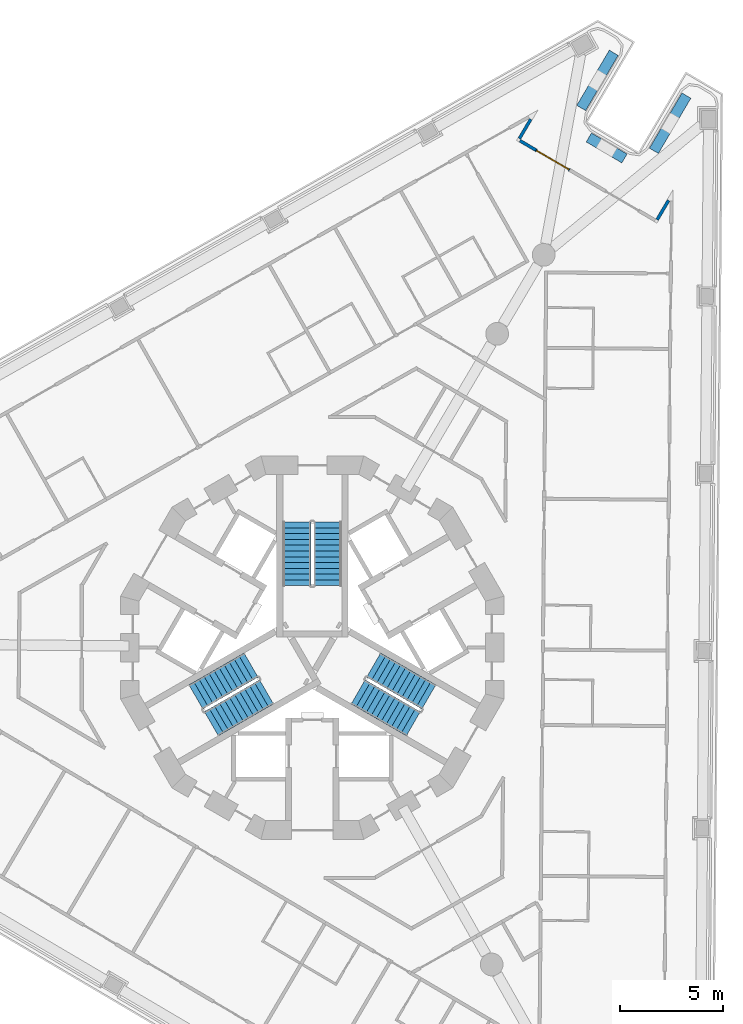
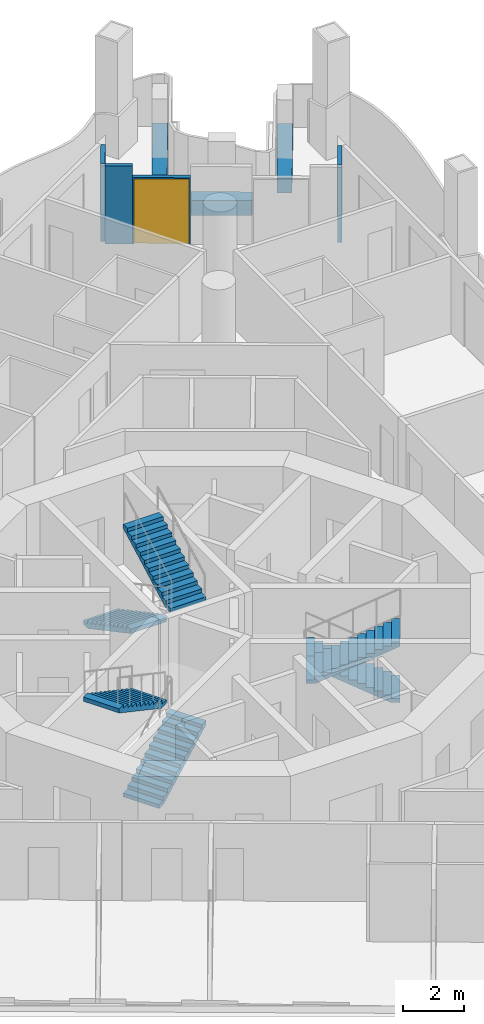
# One storey, part 10 of 17: 7 walls, 6 stair flights, 1 door, 1 opening, 3 elements without a shape of their own.
"""IFC4 building model written with IfcOpenShell, lengths in metres."""

from ifc_helpers import new_model, si_unit, direction, frame, frame_2d, origin, place, context, subcontext, project, spatial, polyline, rectangle, outline, extrude, material, layer, layer_set, type_object, element, fill, aggregate, save


model = new_model("IFC4")

# Units and contexts
model_context = context("Model", 3, precision=1e-05, world=origin(), true_north=direction((0.0, 1.0)))
body_context = subcontext(model_context, "Body", "Model", "MODEL_VIEW")
ifc_project = project(units=[si_unit("LENGTHUNIT", "METRE"), si_unit("AREAUNIT", "SQUARE_METRE"), si_unit("VOLUMEUNIT", "CUBIC_METRE"), si_unit("PLANEANGLEUNIT", "RADIAN"), si_unit("MASSUNIT", "GRAM", prefix="KILO")], contexts=[model_context])

# Site, building, storey
site_placement = place(None, origin())
site = spatial("IfcSite", under=ifc_project, at=site_placement, CompositionType="ELEMENT")
building_placement = place(site_placement, origin())
building = spatial("IfcBuilding", under=site, at=building_placement, Name="Trine Commons Tower", CompositionType="ELEMENT")
storey_placement = place(building_placement, frame((0.0, 0.0, 189.89990234375)))
storey = spatial("IfcBuildingStorey", under=building, at=storey_placement, Name="L49", CompositionType="ELEMENT", Elevation=189.89990234375)

# Walls
ifc_material_1 = material(Name="Aluminium-framed insulated wall panel", Category="aluminium")
ifc_layer_1 = layer(ifc_material_1, 0.14990234375)
ifc_layer_set_1 = layer_set([ifc_layer_1], Name="Aluminium-framed insulated wall panel")
wall_type_1 = type_object("IfcWallType", Name="Glazed frame wall 150, EI 60", PredefinedType="SOLIDWALL", material=ifc_layer_set_1)
wall_1_placement = place(storey_placement, frame((90.63720703125, 88.173583984375, 0.0), z_axis=(0.0, 0.0, 1.0), x_axis=(-0.507591242276, -0.861598009958, 0.0)))
element("IfcWall", 1, at=wall_1_placement, inside=storey, type_object=wall_type_1, Name="Glazed frame wall R5", PredefinedType="SOLIDWALL", context=body_context, shape_type="SweptSolid", body=[
    extrude(outline(polyline([(0.1494140625, 0.074951171875), (0.1494140625, -0.074951171875), (1.235107421875, -0.074951171875), (1.235107421875, 0.074951171875), (0.1494140625, 0.074951171875)])), origin(), (0.0, 0.0, 1.0), 3.10009765625),
])
wall_2_placement = place(storey_placement, frame((89.9423828125, 87.062744140625, 0.0), z_axis=(0.0, 0.0, 1.0), x_axis=(0.861601384654, -0.50758551394, 0.0)))
element("IfcWall", 2, at=wall_2_placement, inside=storey, type_object=wall_type_1, Name="Glazed frame wall P2.1", PredefinedType="SOLIDWALL", context=body_context, shape_type="SweptSolid", body=[
    extrude(outline(polyline([(0.110107421875, -0.074951171875), (1.0, -0.074951171875), (1.0, 0.074951171875), (0.110107421875, 0.074951171875), (0.110107421875, -0.074951171875)])), origin(), (0.0, 0.0, 1.0), 3.10009765625),
])

# Wall, opening, door
wall_3_placement = place(storey_placement, frame((90.803955078125, 86.55517578125, 0.0), z_axis=(0.0, 0.0, 1.0), x_axis=(0.861603693734, -0.50758159437, 0.0)))
wall_3 = element("IfcWall", 3, at=wall_3_placement, inside=storey, type_object=wall_type_1, Name="Glazed frame wall P2.2", PredefinedType="SOLIDWALL", context=body_context, shape_type="SweptSolid", body=[
    extrude(outline(polyline([(0.0, -0.074951171875), (1.89990234375, -0.074951171875), (1.89990234375, 0.074951171875), (0.0, 0.074951171875), (0.0, -0.074951171875)])), origin(), (0.0, 0.0, 1.0), 2.650146484375),
])
opening_placement = place(wall_3_placement, frame((0.050048828125, 0.0, 0.0)))
opening = element("IfcOpeningElement", 4, at=opening_placement, cuts=wall_3, Name="Opening BD-5P2-01", PredefinedType="OPENING", context=body_context, shape_type="SweptSolid", body=[
    extrude(rectangle(XDim=1.800048828125, YDim=2.60009765625, at=frame_2d((0.89990234375, 1.300048828125))), frame((0.0, 0.0849609375, 0.0), z_axis=(0.0, -1.0, 0.0), x_axis=(1.0, 0.0, 0.0)), (0.0, 0.0, 1.0), 0.169921875),
])
ifc_material_2 = material(Name="Anodised aluminium frame with double glazing", Category="aluminium")
door_type = type_object("IfcDoorType", Name="Sliding loggia door 1800x2600", OperationType="SLIDING_TO_LEFT", PredefinedType="DOOR", material=ifc_material_2)
door_placement = place(opening_placement, origin())
door = element("IfcDoor", 5, at=door_placement, inside=storey, type_object=door_type, Name="Loggia door P2 1", OperationType="SLIDING_TO_LEFT", OverallHeight=2.60009765625, OverallWidth=1.800048828125, PredefinedType="DOOR", context=body_context, shape_type="SweptSolid", body=[
    extrude(rectangle(XDim=1.800048828125, YDim=2.60009765625, at=frame_2d((0.89990234375, 1.300048828125))), frame((0.0, 0.02490234375, 0.0), z_axis=(0.0, -1.0, 0.0), x_axis=(1.0, 0.0, 0.0)), (0.0, 0.0, 1.0), 0.050048828125),
])
fill(opening, door)

# Walls
wall_4_placement = place(storey_placement, frame((96.614990234375, 83.091552734375, 0.0), z_axis=(0.0, 0.0, 1.0), x_axis=(0.507511857062, 0.86164477306, 0.0)))
element("IfcWall", 6, at=wall_4_placement, inside=storey, type_object=wall_type_1, Name="Glazed frame wall R7", PredefinedType="SOLIDWALL", context=body_context, shape_type="SweptSolid", body=[
    extrude(outline(polyline([(0.110107421875, 0.074951171875), (0.110107421875, -0.074951171875), (1.19580078125, -0.074951171875), (1.19580078125, 0.074951171875), (0.110107421875, 0.074951171875)])), origin(), (0.0, 0.0, 1.0), 3.10009765625),
])
ifc_material_3 = material(Name="Planter trough, precast concrete C40/50", Category="concrete")
ifc_layer_2 = layer(ifc_material_3, 0.5)
ifc_layer_set_2 = layer_set([ifc_layer_2], Name="Planter trough, precast concrete C40/50")
wall_type_2 = type_object("IfcWallType", Name="Planter trough 500x600", PredefinedType="PARAPET", material=ifc_layer_set_2)
wall_5_placement = place(storey_placement, frame((94.572509765625, 91.25830078125, 0.0), z_axis=(0.0, 0.0, 1.0), x_axis=(-0.507587916184, -0.861599969443, 0.0)))
element("IfcWall", 7, at=wall_5_placement, inside=storey, type_object=wall_type_2, Name="Planter 4", PredefinedType="PARAPET", context=body_context, shape_type="SweptSolid", body=[
    extrude(rectangle(XDim=3.099853515625, YDim=0.5, at=frame_2d((1.5498046875, 0.0))), origin(), (0.0, 0.0, 1.0), 0.60009765625),
])
wall_6_placement = place(storey_placement, frame((93.3671875, 87.163330078125, 0.0), z_axis=(0.0, 0.0, 1.0), x_axis=(0.861632831324, -0.507532130988, 0.0)))
element("IfcWall", 8, at=wall_6_placement, inside=storey, type_object=wall_type_2, Name="Planter 5", PredefinedType="PARAPET", context=body_context, shape_type="SweptSolid", body=[
    extrude(rectangle(XDim=2.000244140625, YDim=0.5, at=frame_2d((1.0, 0.0))), origin(), (0.0, 0.0, 1.0), 0.60009765625),
])
wall_7_placement = place(storey_placement, frame((96.514404296875, 86.5166015625, 0.0), z_axis=(0.0, 0.0, 1.0), x_axis=(0.507587916184, 0.861599969443, 0.0)))
element("IfcWall", 9, at=wall_7_placement, inside=storey, type_object=wall_type_2, Name="Planter 6", PredefinedType="PARAPET", context=body_context, shape_type="SweptSolid", body=[
    extrude(rectangle(XDim=3.099853515625, YDim=0.5, at=frame_2d((1.5498046875, 0.0))), origin(), (0.0, 0.0, 1.0), 0.60009765625),
])

# Stair, stair flights
ifc_material_4 = material(Name="Concrete C50/60", Category="concrete")
stair_type = type_object("IfcStairType", Name="Exit stair, dog-leg, 24 risers of 150 mm", PredefinedType="HALF_TURN_STAIR", material=ifc_material_4)
stair_1_placement = place(storey_placement, origin())
stair_1 = element("IfcStair", 10, at=stair_1_placement, inside=storey, type_object=stair_type, Name="L49 Exit stair ST1B", PredefinedType="HALF_TURN_STAIR")
stair_flight_type = type_object("IfcStairFlightType", Name="Stair flight, 1350 wide, 12 risers of 150 mm", PredefinedType="STRAIGHT", material=ifc_material_4)
stair_flight_1_placement = place(storey_placement, frame((79.25, 68.570556640625, 0.0), z_axis=(0.0, 0.0, 1.0), x_axis=(0.0, -1.0, 0.0)))
stair_flight_1 = element("IfcStairFlight", 11, at=stair_flight_1_placement, type_object=stair_flight_type, Name="ST1B flight 1", NumberOfRisers=12, NumberOfTreads=11, PredefinedType="STRAIGHT", RiserHeight=0.15, TreadLength=0.28, context=body_context, shape_type="SweptSolid", body=[
    extrude(outline(polyline([(0.0, 0.0), (0.0, 0.14990234375), (0.280029296875, 0.14990234375), (0.280029296875, 0.300048828125), (0.56005859375, 0.300048828125), (0.56005859375, 0.449951171875), (0.840087890625, 0.449951171875), (0.840087890625, 0.60009765625), (1.1201171875, 0.60009765625), (1.1201171875, 0.75), (1.39990234375, 0.75), (1.39990234375, 0.89990234375), (1.679931640625, 0.89990234375), (1.679931640625, 1.050048828125), (1.9599609375, 1.050048828125), (1.9599609375, 1.199951171875), (2.239990234375, 1.199951171875), (2.239990234375, 1.35009765625), (2.52001953125, 1.35009765625), (2.52001953125, 1.5), (2.800048828125, 1.5), (2.800048828125, 1.64990234375), (3.080078125, 1.64990234375), (3.080078125, 1.800048828125), (3.080078125, 1.47998046875), (0.3173828125, 0.0), (0.0, 0.0)])), frame((0.0, 0.675048828125, 0.0), z_axis=(0.0, -1.0, 0.0), x_axis=(1.0, 0.0, 0.0)), (0.0, 0.0, 1.0), 1.35009765625),
])
stair_flight_2_placement = place(storey_placement, frame((80.75, 65.490478515625, 1.800048828125), z_axis=(0.0, 0.0, 1.0), x_axis=(0.0, 1.0, 0.0)))
stair_flight_2 = element("IfcStairFlight", 12, at=stair_flight_2_placement, type_object=stair_flight_type, Name="ST1B flight 2", NumberOfRisers=12, NumberOfTreads=11, PredefinedType="STRAIGHT", RiserHeight=0.15, TreadLength=0.28, context=body_context, shape_type="SweptSolid", body=[
    extrude(outline(polyline([(0.0, 0.0), (0.0, 0.14990234375), (0.280029296875, 0.14990234375), (0.280029296875, 0.300048828125), (0.56005859375, 0.300048828125), (0.56005859375, 0.449951171875), (0.840087890625, 0.449951171875), (0.840087890625, 0.60009765625), (1.1201171875, 0.60009765625), (1.1201171875, 0.75), (1.39990234375, 0.75), (1.39990234375, 0.89990234375), (1.679931640625, 0.89990234375), (1.679931640625, 1.050048828125), (1.9599609375, 1.050048828125), (1.9599609375, 1.199951171875), (2.239990234375, 1.199951171875), (2.239990234375, 1.35009765625), (2.52001953125, 1.35009765625), (2.52001953125, 1.5), (2.800048828125, 1.5), (2.800048828125, 1.64990234375), (3.080078125, 1.64990234375), (3.080078125, 1.800048828125), (3.080078125, 1.47998046875), (0.3173828125, 0.0), (0.0, 0.0)])), frame((0.0, 0.675048828125, 0.0), z_axis=(0.0, -1.0, 0.0), x_axis=(1.0, 0.0, 0.0)), (0.0, 0.0, 1.0), 1.35009765625),
])
aggregate(stair_1, [stair_flight_1, stair_flight_2])

stair_2_placement = place(storey_placement, origin())
stair_2 = element("IfcStair", 13, at=stair_2_placement, inside=storey, type_object=stair_type, Name="L49 Exit stair ST2B", PredefinedType="HALF_TURN_STAIR")
stair_flight_3_placement = place(storey_placement, frame((75.11767578125, 58.815185546875, 0.0), z_axis=(0.0, 0.0, 1.0), x_axis=(0.866025403784, 0.5, 0.0)))
stair_flight_3 = element("IfcStairFlight", 14, at=stair_flight_3_placement, type_object=stair_flight_type, Name="ST2B flight 1", NumberOfRisers=12, NumberOfTreads=11, PredefinedType="STRAIGHT", RiserHeight=0.15, TreadLength=0.28, context=body_context, shape_type="SweptSolid", body=[
    extrude(outline(polyline([(0.0, 0.0), (0.0, 0.14990234375), (0.280029296875, 0.14990234375), (0.280029296875, 0.300048828125), (0.56005859375, 0.300048828125), (0.56005859375, 0.449951171875), (0.840087890625, 0.449951171875), (0.840087890625, 0.60009765625), (1.1201171875, 0.60009765625), (1.1201171875, 0.75), (1.39990234375, 0.75), (1.39990234375, 0.89990234375), (1.679931640625, 0.89990234375), (1.679931640625, 1.050048828125), (1.9599609375, 1.050048828125), (1.9599609375, 1.199951171875), (2.239990234375, 1.199951171875), (2.239990234375, 1.35009765625), (2.52001953125, 1.35009765625), (2.52001953125, 1.5), (2.800048828125, 1.5), (2.800048828125, 1.64990234375), (3.080078125, 1.64990234375), (3.080078125, 1.800048828125), (3.080078125, 1.47998046875), (0.3173828125, 0.0), (0.0, 0.0)])), frame((0.0, 0.675048828125, 0.0), z_axis=(0.0, -1.0, 0.0), x_axis=(1.0, 0.0, 0.0)), (0.0, 0.0, 1.0), 1.35009765625),
])
stair_flight_4_placement = place(storey_placement, frame((77.03515625, 61.654296875, 1.800048828125), z_axis=(0.0, 0.0, 1.0), x_axis=(-0.866025403784, -0.5, 0.0)))
stair_flight_4 = element("IfcStairFlight", 15, at=stair_flight_4_placement, type_object=stair_flight_type, Name="ST2B flight 2", NumberOfRisers=12, NumberOfTreads=11, PredefinedType="STRAIGHT", RiserHeight=0.15, TreadLength=0.28, context=body_context, shape_type="SweptSolid", body=[
    extrude(outline(polyline([(0.0, 0.0), (0.0, 0.14990234375), (0.280029296875, 0.14990234375), (0.280029296875, 0.300048828125), (0.56005859375, 0.300048828125), (0.56005859375, 0.449951171875), (0.840087890625, 0.449951171875), (0.840087890625, 0.60009765625), (1.1201171875, 0.60009765625), (1.1201171875, 0.75), (1.39990234375, 0.75), (1.39990234375, 0.89990234375), (1.679931640625, 0.89990234375), (1.679931640625, 1.050048828125), (1.9599609375, 1.050048828125), (1.9599609375, 1.199951171875), (2.239990234375, 1.199951171875), (2.239990234375, 1.35009765625), (2.52001953125, 1.35009765625), (2.52001953125, 1.5), (2.800048828125, 1.5), (2.800048828125, 1.64990234375), (3.080078125, 1.64990234375), (3.080078125, 1.800048828125), (3.080078125, 1.47998046875), (0.3173828125, 0.0), (0.0, 0.0)])), frame((0.0, 0.675048828125, 0.0), z_axis=(0.0, -1.0, 0.0), x_axis=(1.0, 0.0, 0.0)), (0.0, 0.0, 1.0), 1.35009765625),
])
aggregate(stair_2, [stair_flight_3, stair_flight_4])

stair_3_placement = place(storey_placement, origin())
stair_3 = element("IfcStair", 16, at=stair_3_placement, inside=storey, type_object=stair_type, Name="L49 Exit stair ST3B", PredefinedType="HALF_TURN_STAIR")
stair_flight_5_placement = place(storey_placement, frame((85.63232421875, 60.1142578125, 0.0), z_axis=(0.0, 0.0, 1.0), x_axis=(-0.866025403784, 0.5, 0.0)))
stair_flight_5 = element("IfcStairFlight", 17, at=stair_flight_5_placement, type_object=stair_flight_type, Name="ST3B flight 1", NumberOfRisers=12, NumberOfTreads=11, PredefinedType="STRAIGHT", RiserHeight=0.15, TreadLength=0.28, context=body_context, shape_type="SweptSolid", body=[
    extrude(outline(polyline([(0.0, 0.0), (0.0, 0.14990234375), (0.280029296875, 0.14990234375), (0.280029296875, 0.300048828125), (0.56005859375, 0.300048828125), (0.56005859375, 0.449951171875), (0.840087890625, 0.449951171875), (0.840087890625, 0.60009765625), (1.1201171875, 0.60009765625), (1.1201171875, 0.75), (1.39990234375, 0.75), (1.39990234375, 0.89990234375), (1.679931640625, 0.89990234375), (1.679931640625, 1.050048828125), (1.9599609375, 1.050048828125), (1.9599609375, 1.199951171875), (2.239990234375, 1.199951171875), (2.239990234375, 1.35009765625), (2.52001953125, 1.35009765625), (2.52001953125, 1.5), (2.800048828125, 1.5), (2.800048828125, 1.64990234375), (3.080078125, 1.64990234375), (3.080078125, 1.800048828125), (3.080078125, 1.47998046875), (0.3173828125, 0.0), (0.0, 0.0)])), frame((0.0, 0.675048828125, 0.0), z_axis=(0.0, -1.0, 0.0), x_axis=(1.0, 0.0, 0.0)), (0.0, 0.0, 1.0), 1.35009765625),
])
stair_flight_6_placement = place(storey_placement, frame((82.21484375, 60.355224609375, 1.800048828125), z_axis=(0.0, 0.0, 1.0), x_axis=(0.866025403784, -0.5, 0.0)))
stair_flight_6 = element("IfcStairFlight", 18, at=stair_flight_6_placement, type_object=stair_flight_type, Name="ST3B flight 2", NumberOfRisers=12, NumberOfTreads=11, PredefinedType="STRAIGHT", RiserHeight=0.15, TreadLength=0.28, context=body_context, shape_type="SweptSolid", body=[
    extrude(outline(polyline([(0.0, 0.0), (0.0, 0.14990234375), (0.280029296875, 0.14990234375), (0.280029296875, 0.300048828125), (0.56005859375, 0.300048828125), (0.56005859375, 0.449951171875), (0.840087890625, 0.449951171875), (0.840087890625, 0.60009765625), (1.1201171875, 0.60009765625), (1.1201171875, 0.75), (1.39990234375, 0.75), (1.39990234375, 0.89990234375), (1.679931640625, 0.89990234375), (1.679931640625, 1.050048828125), (1.9599609375, 1.050048828125), (1.9599609375, 1.199951171875), (2.239990234375, 1.199951171875), (2.239990234375, 1.35009765625), (2.52001953125, 1.35009765625), (2.52001953125, 1.5), (2.800048828125, 1.5), (2.800048828125, 1.64990234375), (3.080078125, 1.64990234375), (3.080078125, 1.800048828125), (3.080078125, 1.47998046875), (0.3173828125, 0.0), (0.0, 0.0)])), frame((0.0, 0.675048828125, 0.0), z_axis=(0.0, -1.0, 0.0), x_axis=(1.0, 0.0, 0.0)), (0.0, 0.0, 1.0), 1.35009765625),
])
aggregate(stair_3, [stair_flight_5, stair_flight_6])

save(model, "model.ifc")
